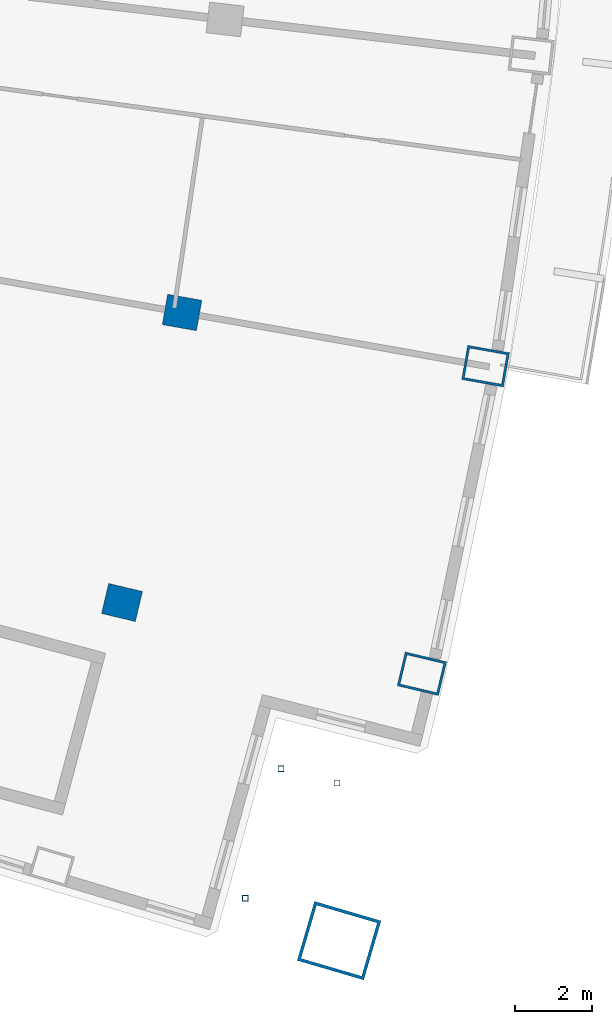
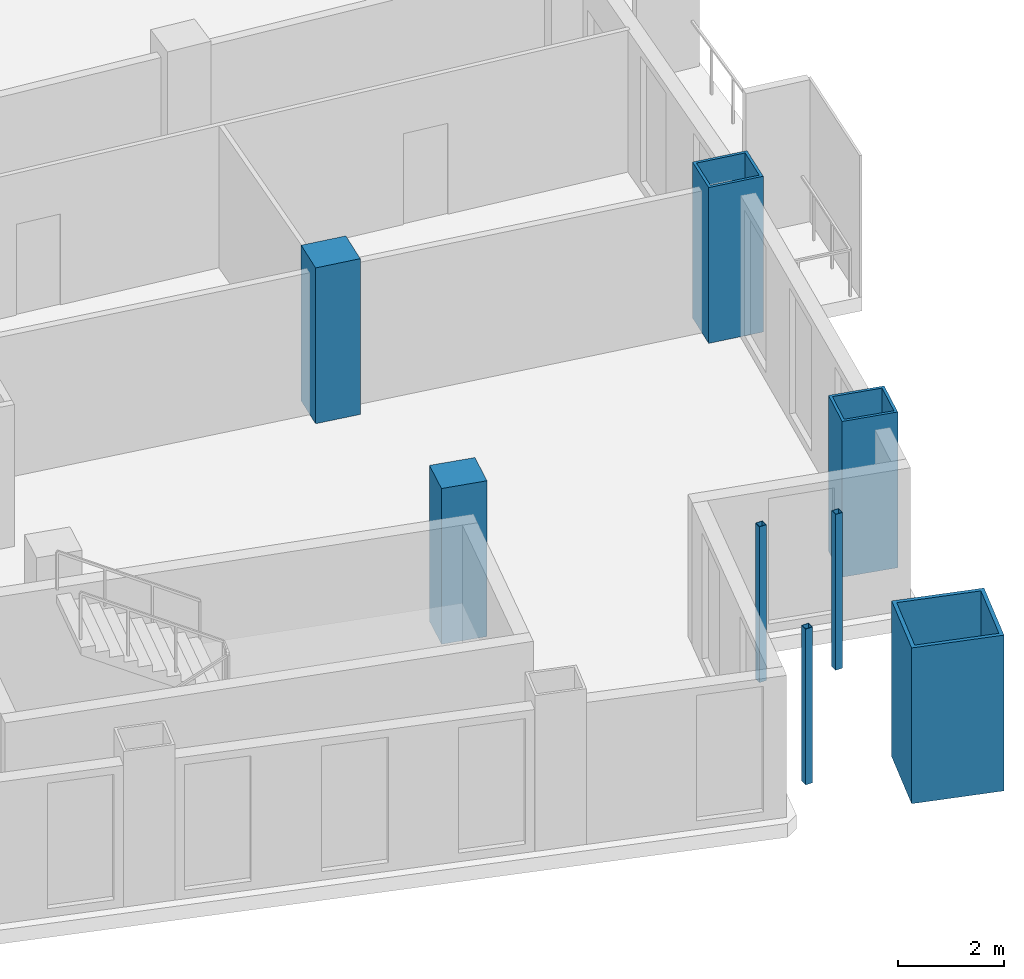
# One storey, part 3 of 20: 8 columns.
"""IFC4 building model written with IfcOpenShell, lengths in metres."""

from ifc_helpers import new_model, si_unit, direction, frame, origin, origin_2d, place, context, subcontext, project, spatial, rectangle, hollow_rectangle, extrude, material, material_profile, profile_set, type_object, element, save


model = new_model("IFC4")

# Units and contexts
model_context = context("Model", 3, precision=1e-05, world=origin(), true_north=direction((0.0, 1.0)))
body_context = subcontext(model_context, "Body", "Model", "MODEL_VIEW")
ifc_project = project(units=[si_unit("LENGTHUNIT", "METRE"), si_unit("AREAUNIT", "SQUARE_METRE"), si_unit("VOLUMEUNIT", "CUBIC_METRE"), si_unit("PLANEANGLEUNIT", "RADIAN"), si_unit("MASSUNIT", "GRAM", prefix="KILO")], contexts=[model_context])

# Site, building, storey
site_placement = place(None, origin())
site = spatial("IfcSite", under=ifc_project, at=site_placement, CompositionType="ELEMENT")
building_placement = place(site_placement, origin())
building = spatial("IfcBuilding", under=site, at=building_placement, Name="Alderwake Tower", CompositionType="ELEMENT")
storey_placement = place(building_placement, frame((0.0, 0.0, 153.199951171875)))
storey = spatial("IfcBuildingStorey", under=building, at=storey_placement, Name="L37", CompositionType="ELEMENT", Elevation=153.199951171875)

# Columns
ifc_material_1 = material(Name="Concrete C70/85", Category="concrete")
ifc_material_profile_1 = material_profile(ifc_material_1, rectangle(XDim=0.800048828125, YDim=0.89990234375, at=origin_2d()), Name="RC 900X800")
ifc_profile_set_1 = profile_set([ifc_material_profile_1], Name="Concrete C70/85")
column_type_1 = type_object("IfcColumnType", Name="Interior column Z3", PredefinedType="COLUMN", material=ifc_profile_set_1)
for number, where, z_axis, x_axis, name in (
    (1, (48.228515625, 30.52490234375, 0.0), (0.0, 0.0, 1.0), (0.231221547198, 0.972901123502, 0.0), "Column R03-C4"),
    (2, (49.787109375, 38.052490234375, 0.0), (0.0, 0.0, 1.0), (0.174108800747, 0.984726421654, 0.0), "Column R04-C4"),
):
    element("IfcColumn", number, at=place(storey_placement, frame(where, z_axis=z_axis, x_axis=x_axis)), inside=storey, type_object=column_type_1, Name=name, PredefinedType="COLUMN", context=body_context, shape_type="SweptSolid", body=[
        extrude(rectangle(XDim=0.800048828125, YDim=0.89990234375, at=origin_2d()), origin(), (0.0, 0.0, 1.0), 3.60009765625),
    ])
ifc_material_2 = material(Name="Steel ASTM A500 Grade C", Category="steel")
ifc_material_profile_2 = material_profile(ifc_material_2, hollow_rectangle(XDim=0.15234375, YDim=0.15234375, WallThickness=0.0087890625, at=origin_2d()), Name="HSS6X6X3/8")
ifc_profile_set_2 = profile_set([ifc_material_profile_2], Name="Steel ASTM A500 Grade C")
column_type_2 = type_object("IfcColumnType", Name="Light post HSS6X6X3/8", PredefinedType="COLUMN", material=ifc_profile_set_2)
for number, where, z_axis, x_axis, name in (
    (3, (53.807861328125, 25.840576171875, 0.0), (0.0, 0.0, 1.0), (1.0, 0.0, 0.0), "Terrace post FS1"),
    (4, (51.42431640625, 22.847900390625, 0.0), (0.0, 0.0, 1.0), (1.0, 0.0, 0.0), "Terrace post FS2"),
    (5, (52.353759765625, 26.208740234375, 0.0), (0.0, 0.0, 1.0), (1.0, 0.0, 0.0), "Terrace post FS3"),
):
    element("IfcColumn", number, at=place(storey_placement, frame(where, z_axis=z_axis, x_axis=x_axis)), inside=storey, type_object=column_type_2, Name=name, PredefinedType="COLUMN", context=body_context, shape_type="SweptSolid", body=[
        extrude(hollow_rectangle(XDim=0.15234375, YDim=0.15234375, WallThickness=0.0087890625, at=origin_2d()), origin(), (0.0, 0.0, 1.0), 3.60009765625),
    ])
ifc_material_3 = material(Name="Steel ASTM A572 Grade 50 concrete filled C70/85", Category="concrete")
ifc_material_profile_3 = material_profile(ifc_material_3, hollow_rectangle(XDim=1.60009765625, YDim=1.800048828125, WallThickness=0.080078125, at=origin_2d()), Name="BOX 1800X1600X80")
ifc_profile_set_3 = profile_set([ifc_material_profile_3], Name="Steel ASTM A572 Grade 50 concrete filled C70/85")
column_type_3 = type_object("IfcColumnType", Name="Mega column Z3", PredefinedType="COLUMN", material=ifc_profile_set_3)
column_placement = place(storey_placement, frame((53.86376953125, 21.747802734375, 0.0), z_axis=(0.0, 0.0, 1.0), x_axis=(0.281376906736, 0.959597330319, 0.0)))
element("IfcColumn", 6, at=column_placement, inside=storey, type_object=column_type_3, Name="Column R02-C5", PredefinedType="COLUMN", context=body_context, shape_type="SweptSolid", body=[
    extrude(hollow_rectangle(XDim=1.60009765625, YDim=1.800048828125, WallThickness=0.080078125, at=origin_2d()), origin(), (0.0, 0.0, 1.0), 3.60009765625),
])
ifc_material_4 = material(Name="Steel ASTM A572 Grade 50 concrete filled C70/85", Category="concrete")
ifc_material_profile_4 = material_profile(ifc_material_4, hollow_rectangle(XDim=0.89990234375, YDim=1.10009765625, WallThickness=0.06005859375, at=origin_2d()), Name="BOX 1100X900X60")
ifc_profile_set_4 = profile_set([ifc_material_profile_4], Name="Steel ASTM A572 Grade 50 concrete filled C70/85")
column_type_4 = type_object("IfcColumnType", Name="Perimeter column Z3", PredefinedType="COLUMN", material=ifc_profile_set_4)
for number, where, z_axis, x_axis, name in (
    (7, (56.01171875, 28.67529296875, 0.0), (0.0, 0.0, 1.0), (0.231221547198, 0.972901123502, 0.0), "Column R03-C5"),
    (8, (57.664794921875, 36.65966796875, 0.0), (0.0, 0.0, 1.0), (0.174108800747, 0.984726421654, 0.0), "Column R04-C5"),
):
    element("IfcColumn", number, at=place(storey_placement, frame(where, z_axis=z_axis, x_axis=x_axis)), inside=storey, type_object=column_type_4, Name=name, PredefinedType="COLUMN", context=body_context, shape_type="SweptSolid", body=[
        extrude(hollow_rectangle(XDim=0.89990234375, YDim=1.10009765625, WallThickness=0.06005859375, at=origin_2d()), origin(), (0.0, 0.0, 1.0), 3.60009765625),
    ])

save(model, "model.ifc")
